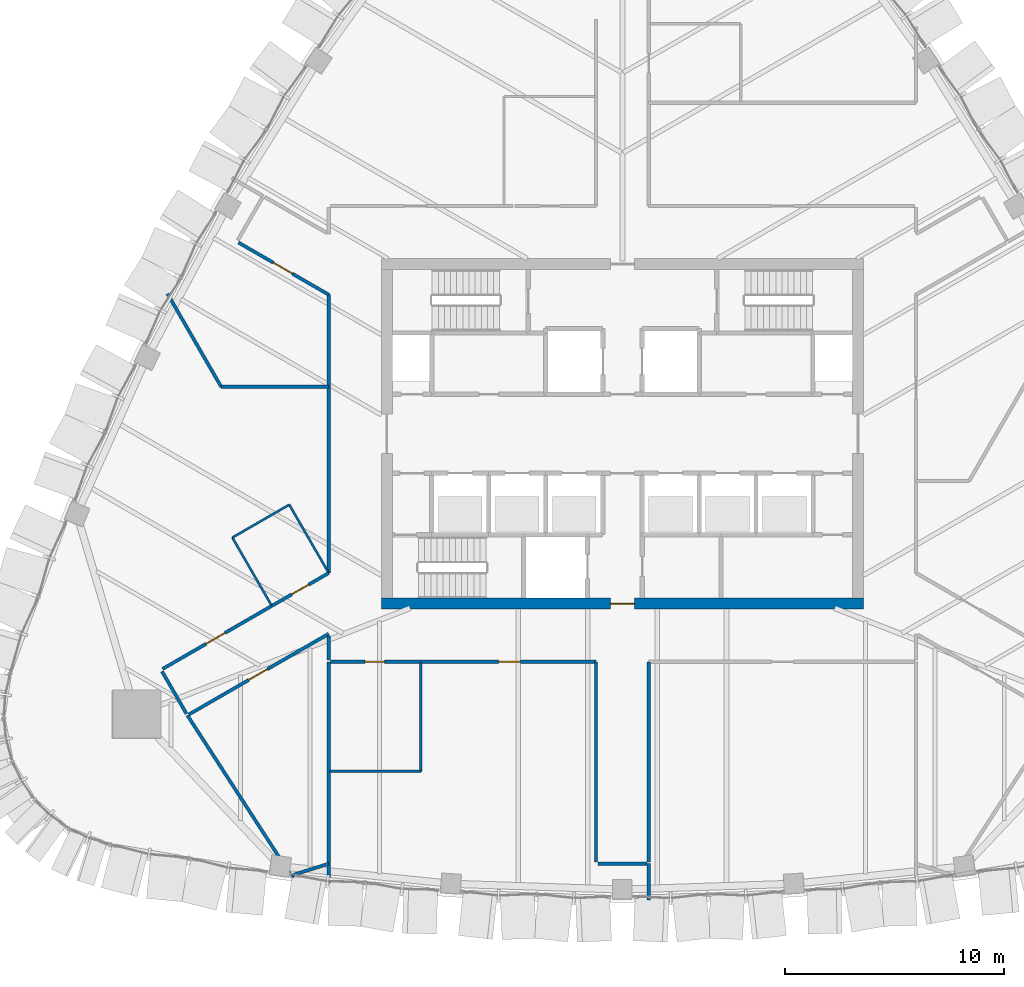
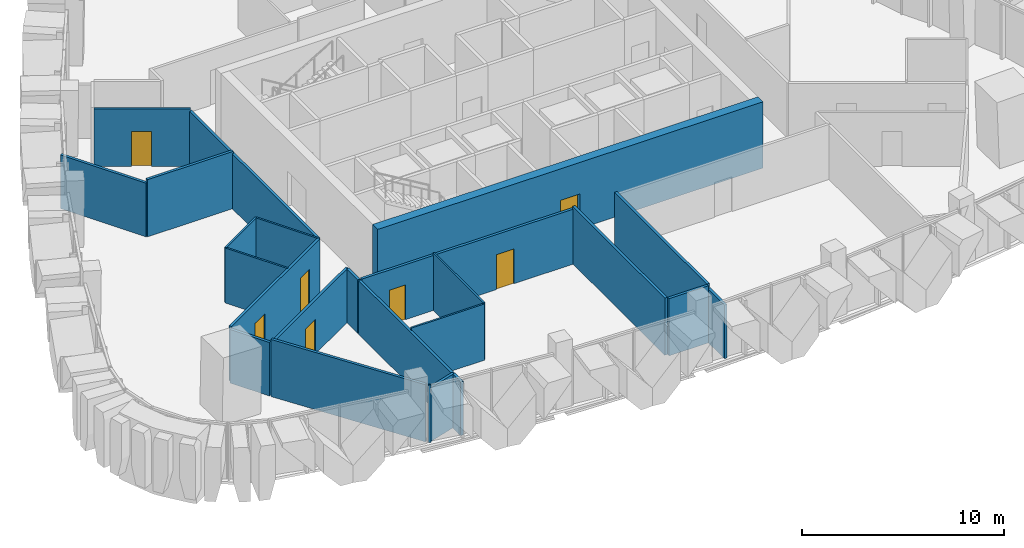
# One storey, part 12 of 19: 23 walls, 7 doors, 7 openings.
"""IFC4 building model written with IfcOpenShell, lengths in metres."""

import ifcopenshell
import ifcopenshell.guid

model = None  # the IFC model being written
_history = None  # IfcOwnerHistory: only IFC2X3 demands one
_inside = {}  # id of a spatial element -> (the spatial element, [elements in it])
_under = {}  # id of a project, library or spatial element -> (it, [spatial elements below it])
_declared = {}  # id of a project -> (the project, [libraries it declares])
_typed = {}  # id of a type object -> (the type object, [elements of that type])
_made_of = {}  # id of a material, layer set ... -> (it, [elements and type objects made of it])


def new_model(schema):
    """Start an empty IFC model of exactly this schema.

    Asked for "IFC4X3", IfcOpenShell would pick the latest addendum, in which some entities
    have other attributes; the version numbers below select the first issue.
    IFC2X3 requires an IfcOwnerHistory on every rooted entity: one is made here for all.
    """
    global model, _history
    if schema == "IFC4X3":
        model = ifcopenshell.file(schema_version=(4, 3, 0, 0))
    else:
        model = ifcopenshell.file(schema=schema)
    _inside.clear()
    _under.clear()
    _declared.clear()
    _typed.clear()
    _made_of.clear()
    _history = None
    if model.schema == "IFC2X3":
        org = make("IfcOrganization", Name="unknown")
        user = make(
            "IfcPersonAndOrganization",
            ThePerson=make("IfcPerson", FamilyName="unknown"),
            TheOrganization=org,
        )
        app = make(
            "IfcApplication",
            ApplicationDeveloper=org,
            Version="unknown",
            ApplicationFullName="unknown",
            ApplicationIdentifier="unknown",
        )
        _history = make(
            "IfcOwnerHistory",
            OwningUser=user,
            OwningApplication=app,
            ChangeAction="ADDED",
            CreationDate=0,
        )
    return model


def make(cls, **values):
    """One entity of the class cls with the attributes given. An attribute that is None is left unset."""
    return model.create_entity(
        cls, **{name: value for name, value in values.items() if value is not None}
    )


def rooted(cls, **values):
    """An entity with a GlobalId (a new one), such as an element, a storey or a relation."""
    return make(cls, GlobalId=ifcopenshell.guid.new(), OwnerHistory=_history, **values)


def si_unit(unit_type, name, prefix=None):
    """IfcSIUnit, for example si_unit("LENGTHUNIT", "METRE", prefix="MILLI")."""
    return make("IfcSIUnit", UnitType=unit_type, Prefix=prefix, Name=name)


def assignment(units):
    """IfcUnitAssignment: the units of a project."""
    return None if units is None else make("IfcUnitAssignment", Units=units)


def point(xyz):
    """IfcCartesianPoint."""
    return None if xyz is None else make("IfcCartesianPoint", Coordinates=xyz)


def direction(xyz):
    """IfcDirection."""
    return None if xyz is None else make("IfcDirection", DirectionRatios=xyz)


def frame(location, z_axis=None, x_axis=None):
    """IfcAxis2Placement3D, a coordinate frame: its origin and axes. An axis left out is left unset."""
    return make(
        "IfcAxis2Placement3D",
        Location=point(location),
        Axis=direction(z_axis),
        RefDirection=direction(x_axis),
    )


def frame_2d(location, x_axis=None):
    """IfcAxis2Placement2D, a coordinate frame in the plane: its origin and x axis."""
    return make(
        "IfcAxis2Placement2D", Location=point(location), RefDirection=direction(x_axis)
    )


def origin():
    """The frame at (0, 0, 0) with its axes left unset."""
    return frame((0.0, 0.0, 0.0))


def place(relative_to, where):
    """IfcLocalPlacement: puts the frame where relative to a parent placement (None: the world)."""
    return make(
        "IfcLocalPlacement", PlacementRelTo=relative_to, RelativePlacement=where
    )


def context(
    kind, dimensions, precision=None, world=None, true_north=None, identifier=None
):
    """IfcGeometricRepresentationContext, for example the 3D "Model" context."""
    return make(
        "IfcGeometricRepresentationContext",
        ContextIdentifier=identifier,
        ContextType=kind,
        CoordinateSpaceDimension=dimensions,
        Precision=precision,
        WorldCoordinateSystem=world,
        TrueNorth=true_north,
    )


def subcontext(parent, identifier, kind, view, scale=None):
    """IfcGeometricRepresentationSubContext, for example "Body" below "Model"."""
    return make(
        "IfcGeometricRepresentationSubContext",
        ContextIdentifier=identifier,
        ContextType=kind,
        ParentContext=parent,
        TargetScale=scale,
        TargetView=view,
    )


def project(units=None, contexts=None):
    """IfcProject with its units and contexts."""
    return rooted(
        "IfcProject",
        Name="project",
        RepresentationContexts=contexts,
        UnitsInContext=assignment(units),
    )


def spatial(cls, under=None, at=None, **own):
    """A site, building, storey or space (cls), placed at a placement, below another one or the project."""
    s = rooted(cls, ObjectPlacement=at, **own)
    if under is not None:
        _under.setdefault(under.id(), (under, []))[1].append(s)
    return s


def profile(cls, at=None, kind="AREA", **sizes):
    """A parametric profile (cls). Its sizes go by their IFC names, for example OverallWidth=200.0."""
    return make(cls, ProfileType=kind, Position=at, **sizes)


def rectangle(**sizes):
    """IfcRectangleProfileDef."""
    return profile("IfcRectangleProfileDef", **sizes)


def extrude(swept, where, along, depth):
    """IfcExtrudedAreaSolid: the profile swept, set in the frame where, extruded along a direction by depth."""
    return make(
        "IfcExtrudedAreaSolid",
        SweptArea=swept,
        Position=where,
        ExtrudedDirection=direction(along),
        Depth=depth,
    )


def shape(context_of_items, identifier, shape_type, items):
    """IfcShapeRepresentation: the items that make up one representation, for example the "Body"."""
    return make(
        "IfcShapeRepresentation",
        ContextOfItems=context_of_items,
        RepresentationIdentifier=identifier,
        RepresentationType=shape_type,
        Items=items,
    )


def material(Name=None, Category=None):
    """IfcMaterial."""
    return make("IfcMaterial", Name=Name, Category=Category)


def layer(
    of_material, thickness, ventilated=None, Name=None, Category=None, Priority=None
):
    """IfcMaterialLayer: one layer of a wall or slab, of a material (None: an air gap)."""
    return make(
        "IfcMaterialLayer",
        Material=of_material,
        LayerThickness=thickness,
        IsVentilated=ventilated,
        Name=Name,
        Category=Category,
        Priority=Priority,
    )


def layer_set(layers, Name=None):
    """IfcMaterialLayerSet."""
    return make("IfcMaterialLayerSet", MaterialLayers=layers, LayerSetName=Name)


def made_of(thing, what):
    """Note that an element or type object is made of a material, layer set ...; save() writes the relation."""
    if what is not None:
        _made_of.setdefault(what.id(), (what, []))[1].append(thing)
    return thing


def type_object(cls, material=None, **own):
    """A type object (cls), such as IfcWallType, which elements share."""
    return made_of(rooted(cls, **own), material)


def element(
    cls,
    number,
    at=None,
    inside=None,
    cuts=None,
    type_object=None,
    material=None,
    context=None,
    identifier="Body",
    shape_type=None,
    held_by="IfcProductDefinitionShape",
    body=None,
    shapes=None,
    **own,
):
    """One element of the class cls, such as IfcWall. Its Tag is "e" and its number.

    at: its placement. inside: the storey or other place that contains it. cuts: it is an
    opening in that element (IfcRelVoidsElement). A single representation is given by context,
    identifier, shape_type and body (its items); several are given by shapes. held_by: the class
    of the entity that holds the representations. save() writes the other relations.
    """
    e = rooted(cls, Tag="e%d" % number, ObjectPlacement=at, **own)
    if body is not None:
        shapes = [shape(context, identifier, shape_type, body)]
    if shapes is not None:
        e.Representation = make(held_by, Representations=shapes)
    if inside is not None:
        _inside.setdefault(inside.id(), (inside, []))[1].append(e)
    if cuts is not None:
        rooted(
            "IfcRelVoidsElement", RelatingBuildingElement=cuts, RelatedOpeningElement=e
        )
    if type_object is not None:
        _typed.setdefault(type_object.id(), (type_object, []))[1].append(e)
    return made_of(e, material)


def fill(opening, filler):
    """IfcRelFillsElement: the door or window that sits in an opening."""
    return rooted(
        "IfcRelFillsElement",
        RelatingOpeningElement=opening,
        RelatedBuildingElement=filler,
    )


def aggregate(whole, parts):
    """IfcRelAggregates: a whole, such as a stair, and the parts it consists of."""
    return rooted("IfcRelAggregates", RelatingObject=whole, RelatedObjects=parts)


def save(model, path):
    """Write the relations noted so far, then the file.

    IfcRelAggregates (storeys below a building ...), IfcRelContainedInSpatialStructure (elements
    in a storey), IfcRelDefinesByType, IfcRelAssociatesMaterial and IfcRelDeclares: one each for
    every whole, place, type object, material and project.
    """
    for whole, parts in _under.values():
        aggregate(whole, parts)
    for where, things in _inside.values():
        rooted(
            "IfcRelContainedInSpatialStructure",
            RelatedElements=things,
            RelatingStructure=where,
        )
    for kind, things in _typed.values():
        rooted("IfcRelDefinesByType", RelatedObjects=things, RelatingType=kind)
    for what, things in _made_of.values():
        rooted("IfcRelAssociatesMaterial", RelatedObjects=things, RelatingMaterial=what)
    for by, libraries in _declared.values():
        rooted("IfcRelDeclares", RelatingContext=by, RelatedDefinitions=libraries)
    model.write(path)


model = new_model("IFC4")

# Units and contexts
model_context = context("Model", 3, precision=1e-05, world=origin(), true_north=direction((0.0, 1.0)))
body_context = subcontext(model_context, "Body", "Model", "MODEL_VIEW")
ifc_project = project(units=[si_unit("LENGTHUNIT", "METRE"), si_unit("AREAUNIT", "SQUARE_METRE"), si_unit("VOLUMEUNIT", "CUBIC_METRE"), si_unit("PLANEANGLEUNIT", "RADIAN"), si_unit("MASSUNIT", "GRAM", prefix="KILO")], contexts=[model_context])

# Site, building, storey
site_placement = place(None, origin())
site = spatial("IfcSite", under=ifc_project, at=site_placement, CompositionType="ELEMENT")
building_placement = place(site_placement, origin())
building = spatial("IfcBuilding", under=site, at=building_placement, Name="Sierra Prisma Convention Tower", CompositionType="ELEMENT")
storey_placement = place(building_placement, frame((0.0, 0.0, 235.0)))
storey = spatial("IfcBuildingStorey", under=building, at=storey_placement, Name="L52", CompositionType="ELEMENT", Elevation=235.0)

# Walls
ifc_material_1 = material(Name="Gypsum board partition", Category="gypsum")
ifc_layer_1 = layer(ifc_material_1, 0.10009765625)
ifc_layer_set_1 = layer_set([ifc_layer_1], Name="Bathroom partition 100")
wall_type_1 = type_object("IfcWallType", Name="Bathroom partition 100", PredefinedType="PARTITIONING", material=ifc_layer_set_1)
wall_1_placement = place(storey_placement, frame((-16.01318359375, -7.824951171875, 0.0), z_axis=(0.0, 0.0, 1.0), x_axis=(-0.499971082179, 0.866042098853, 0.0)))
element("IfcWall", 1, at=wall_1_placement, inside=storey, type_object=wall_type_1, Name="Partition L52 bath 1", PredefinedType="PARTITIONING", context=body_context, shape_type="SweptSolid", body=[
    extrude(rectangle(XDim=3.570068359375, YDim=0.10009765625, at=frame_2d((1.78515625, 0.0))), origin(), (0.0, 0.0, 1.0), 3.31689453125),
])
wall_2_placement = place(storey_placement, frame((-17.798095703125, -4.733154296875, 0.0), z_axis=(0.0, 0.0, 1.0), x_axis=(0.866031096941, 0.499990139034, 0.0)))
element("IfcWall", 2, at=wall_2_placement, inside=storey, type_object=wall_type_1, Name="Partition L52 bath 2", PredefinedType="PARTITIONING", context=body_context, shape_type="SweptSolid", body=[
    extrude(rectangle(XDim=3.0, YDim=0.10009765625, at=frame_2d((1.5, 0.0))), origin(), (0.0, 0.0, 1.0), 3.31689453125),
])
wall_3_placement = place(storey_placement, frame((-15.199951171875, -3.233154296875, 0.0), z_axis=(0.0, 0.0, 1.0), x_axis=(0.500011000363, -0.866019052629, 0.0)))
element("IfcWall", 3, at=wall_3_placement, inside=storey, type_object=wall_type_1, Name="Partition L52 bath 3", PredefinedType="PARTITIONING", context=body_context, shape_type="SweptSolid", body=[
    extrude(rectangle(XDim=3.5400390625, YDim=0.10009765625, at=frame_2d((1.77001953125, 0.0))), origin(), (0.0, 0.0, 1.0), 3.31689453125),
])
wall_4_placement = place(storey_placement, frame((-9.199951171875, -10.429931640625, 0.0), z_axis=(0.0, 0.0, 1.0), x_axis=(0.0, -1.0, 0.0)))
element("IfcWall", 4, at=wall_4_placement, inside=storey, type_object=wall_type_1, Name="Partition L52 bath 4", PredefinedType="PARTITIONING", context=body_context, shape_type="SweptSolid", body=[
    extrude(rectangle(XDim=4.969970703125, YDim=0.10009765625, at=frame_2d((2.48486328125, 0.0))), origin(), (0.0, 0.0, 1.0), 3.449951171875),
])
wall_5_placement = place(storey_placement, frame((-9.199951171875, -15.39990234375, 0.0), z_axis=(0.0, 0.0, 1.0), x_axis=(-1.0, 0.0, 0.0)))
element("IfcWall", 5, at=wall_5_placement, inside=storey, type_object=wall_type_1, Name="Partition L52 bath 5", PredefinedType="PARTITIONING", context=body_context, shape_type="SweptSolid", body=[
    extrude(rectangle(XDim=4.170166015625, YDim=0.10009765625, at=frame_2d((2.0849609375, 0.0))), origin(), (0.0, 0.0, 1.0), 3.39306640625),
])

# Wall, opening, door
ifc_material_2 = material(Name="Concrete C50/60", Category="concrete")
ifc_layer_2 = layer(ifc_material_2, 0.5)
ifc_layer_set_2 = layer_set([ifc_layer_2], Name="Core wall RC 500 C50/60")
wall_type_2 = type_object("IfcWallType", Name="Core wall RC 500 C50/60", PredefinedType="SHEAR", material=ifc_layer_set_2)
wall_6_placement = place(storey_placement, frame((-11.0, -7.75, 0.0), z_axis=(0.0, 0.0, 1.0), x_axis=(1.0, 0.0, 0.0)))
wall_6 = element("IfcWall", 6, at=wall_6_placement, inside=storey, type_object=wall_type_2, Name="Core wall S L52", PredefinedType="SHEAR", context=body_context, shape_type="SweptSolid", body=[
    extrude(rectangle(XDim=22.0, YDim=0.5, at=frame_2d((11.0, 0.0))), origin(), (0.0, 0.0, 1.0), 4.0),
])
opening_1_placement = place(wall_6_placement, frame((10.449951171875, 0.0, 0.0)))
opening_1 = element("IfcOpeningElement", 7, at=opening_1_placement, cuts=wall_6, Name="Opening L52-D041", PredefinedType="OPENING", context=body_context, shape_type="SweptSolid", body=[
    extrude(rectangle(XDim=1.10009765625, YDim=2.10009765625, at=frame_2d((0.550048828125, 1.050048828125))), frame((0.0, 0.25, 0.0), z_axis=(0.0, -1.0, 0.0), x_axis=(1.0, 0.0, 0.0)), (0.0, 0.0, 1.0), 0.5),
])
ifc_material_3 = material(Name="Steel fire door leaf", Category="steel")
door_type_1 = type_object("IfcDoorType", Name="Door 1100x2100 FD30S", OperationType="SINGLE_SWING_LEFT", PredefinedType="DOOR", material=ifc_material_3)
door_1_placement = place(opening_1_placement, origin())
door_1 = element("IfcDoor", 8, at=door_1_placement, inside=storey, type_object=door_type_1, Name="Door L52 42", OperationType="SINGLE_SWING_LEFT", OverallHeight=2.10009765625, OverallWidth=1.10009765625, PredefinedType="DOOR", context=body_context, shape_type="SweptSolid", body=[
    extrude(rectangle(XDim=1.10009765625, YDim=2.10009765625, at=frame_2d((0.550048828125, 1.050048828125))), frame((0.0, 0.02490234375, 0.0), z_axis=(0.0, -1.0, 0.0), x_axis=(1.0, 0.0, 0.0)), (0.0, 0.0, 1.0), 0.050048828125),
])
fill(opening_1, door_1)

# Wall
ifc_material_4 = material(Name="Gypsum board partition", Category="gypsum")
ifc_layer_3 = layer(ifc_material_4, 0.14990234375)
ifc_layer_set_3 = layer_set([ifc_layer_3], Name="Corridor wall 150 gypsum EI 60")
wall_type_3 = type_object("IfcWallType", Name="Corridor wall 150 gypsum EI 60", PredefinedType="PARTITIONING", material=ifc_layer_set_3)
wall_7_placement = place(storey_placement, frame((-21.0087890625, -10.836181640625, 0.0), z_axis=(0.0, 0.0, 1.0), x_axis=(0.500077830873, -0.865980463445, 0.0)))
element("IfcWall", 9, at=wall_7_placement, inside=storey, type_object=wall_type_3, Name="Partition L52 corr 1", PredefinedType="PARTITIONING", context=body_context, shape_type="SweptSolid", body=[
    extrude(rectangle(XDim=2.239990234375, YDim=0.14990234375, at=frame_2d((1.1201171875, 0.0))), origin(), (0.0, 0.0, 1.0), 3.23291015625),
])

# Wall, opening, door
wall_8_placement = place(storey_placement, frame((-17.519775390625, 8.729248046875, 0.0), z_axis=(0.0, 0.0, 1.0), x_axis=(0.866042865666, -0.499969753915, 0.0)))
wall_8 = element("IfcWall", 10, at=wall_8_placement, inside=storey, type_object=wall_type_3, Name="Partition L52 corr 2", PredefinedType="PARTITIONING", context=body_context, shape_type="SweptSolid", body=[
    extrude(rectangle(XDim=4.757080078125, YDim=0.14990234375, at=frame_2d((2.37841796875, 0.0))), origin(), (0.0, 0.0, 1.0), 3.449951171875),
])
opening_2_placement = place(wall_8_placement, frame((1.83837890625, 0.0, 0.0)))
opening_2 = element("IfcOpeningElement", 11, at=opening_2_placement, cuts=wall_8, Name="Opening L52-D029", PredefinedType="OPENING", context=body_context, shape_type="SweptSolid", body=[
    extrude(rectangle(XDim=1.0, YDim=2.10009765625, at=frame_2d((0.5, 1.050048828125))), frame((0.0, 0.074951171875, 0.0), z_axis=(0.0, -1.0, 0.0), x_axis=(1.0, 0.0, 0.0)), (0.0, 0.0, 1.0), 0.14990234375),
])
ifc_material_5 = material(Name="Steel fire door leaf", Category="steel")
door_type_2 = type_object("IfcDoorType", Name="Door 1000x2100 FD30S", OperationType="SINGLE_SWING_LEFT", PredefinedType="DOOR", material=ifc_material_5)
door_2_placement = place(opening_2_placement, origin())
door_2 = element("IfcDoor", 12, at=door_2_placement, inside=storey, type_object=door_type_2, Name="Door L52 7", OperationType="SINGLE_SWING_RIGHT", OverallHeight=2.10009765625, OverallWidth=1.0, PredefinedType="DOOR", context=body_context, shape_type="SweptSolid", body=[
    extrude(rectangle(XDim=1.0, YDim=2.10009765625, at=frame_2d((0.5, 1.050048828125))), frame((0.0, 0.02490234375, 0.0), z_axis=(0.0, -1.0, 0.0), x_axis=(1.0, 0.0, 0.0)), (0.0, 0.0, 1.0), 0.050048828125),
])
fill(opening_2, door_2)

# Wall
wall_9_placement = place(storey_placement, frame((-13.39990234375, 6.350830078125, 0.0), z_axis=(0.0, 0.0, 1.0), x_axis=(0.0, -1.0, 0.0)))
element("IfcWall", 13, at=wall_9_placement, inside=storey, type_object=wall_type_3, Name="Partition L52 corr 3", PredefinedType="PARTITIONING", context=body_context, shape_type="SweptSolid", body=[
    extrude(rectangle(XDim=12.70166015625, YDim=0.14990234375, at=frame_2d((6.350830078125, 0.0))), origin(), (0.0, 0.0, 1.0), 3.31689453125),
])

# Wall, openings, doors
wall_10_placement = place(storey_placement, frame((-13.39990234375, -6.350830078125, 0.0), z_axis=(0.0, 0.0, 1.0), x_axis=(-0.866030434095, -0.499991287145, 0.0)))
wall_10 = element("IfcWall", 14, at=wall_10_placement, inside=storey, type_object=wall_type_3, Name="Partition L52 corr 4", PredefinedType="PARTITIONING", context=body_context, shape_type="SweptSolid", body=[
    extrude(rectangle(XDim=8.752197265625, YDim=0.14990234375, at=frame_2d((4.3759765625, 0.0))), origin(), (0.0, 0.0, 1.0), 3.31689453125),
])
opening_3_placement = place(wall_10_placement, frame((1.050048828125, 0.0, 0.0)))
opening_3 = element("IfcOpeningElement", 15, at=opening_3_placement, cuts=wall_10, Name="Opening L52-D030", PredefinedType="OPENING", context=body_context, shape_type="SweptSolid", body=[
    extrude(rectangle(XDim=0.89990234375, YDim=2.10009765625, at=frame_2d((0.449951171875, 1.050048828125))), frame((0.0, 0.074951171875, 0.0), z_axis=(0.0, -1.0, 0.0), x_axis=(1.0, 0.0, 0.0)), (0.0, 0.0, 1.0), 0.14990234375),
])
opening_4_placement = place(wall_10_placement, frame((5.466064453125, 0.0, 0.0)))
opening_4 = element("IfcOpeningElement", 16, at=opening_4_placement, cuts=wall_10, Name="Opening L52-D031", PredefinedType="OPENING", context=body_context, shape_type="SweptSolid", body=[
    extrude(rectangle(XDim=1.0, YDim=2.10009765625, at=frame_2d((0.5, 1.050048828125))), frame((0.0, 0.074951171875, 0.0), z_axis=(0.0, -1.0, 0.0), x_axis=(1.0, 0.0, 0.0)), (0.0, 0.0, 1.0), 0.14990234375),
])
door_3_placement = place(opening_4_placement, origin())
door_3 = element("IfcDoor", 17, at=door_3_placement, inside=storey, type_object=door_type_2, Name="Door L52 9", OperationType="SINGLE_SWING_RIGHT", OverallHeight=2.10009765625, OverallWidth=1.0, PredefinedType="DOOR", context=body_context, shape_type="SweptSolid", body=[
    extrude(rectangle(XDim=1.0, YDim=2.10009765625, at=frame_2d((0.5, 1.050048828125))), frame((0.0, 0.02490234375, 0.0), z_axis=(0.0, -1.0, 0.0), x_axis=(1.0, 0.0, 0.0)), (0.0, 0.0, 1.0), 0.050048828125),
])
fill(opening_4, door_3)
ifc_material_6 = material(Name="Steel fire door leaf", Category="steel")
door_type_3 = type_object("IfcDoorType", Name="Door 900x2100 FD30S", OperationType="SINGLE_SWING_LEFT", PredefinedType="DOOR", material=ifc_material_6)
door_4_placement = place(opening_3_placement, origin())
door_4 = element("IfcDoor", 18, at=door_4_placement, inside=storey, type_object=door_type_3, Name="Door L52 8", OperationType="SINGLE_SWING_LEFT", OverallHeight=2.10009765625, OverallWidth=0.89990234375, PredefinedType="DOOR", context=body_context, shape_type="SweptSolid", body=[
    extrude(rectangle(XDim=0.89990234375, YDim=2.10009765625, at=frame_2d((0.449951171875, 1.050048828125))), frame((0.0, 0.02490234375, 0.0), z_axis=(0.0, -1.0, 0.0), x_axis=(1.0, 0.0, 0.0)), (0.0, 0.0, 1.0), 0.050048828125),
])
fill(opening_3, door_4)

# Wall, opening, door
wall_11_placement = place(storey_placement, frame((-19.779541015625, -12.805419921875, 0.0), z_axis=(0.0, 0.0, 1.0), x_axis=(0.866021670914, 0.500006465466, 0.0)))
wall_11 = element("IfcWall", 19, at=wall_11_placement, inside=storey, type_object=wall_type_3, Name="Partition L52 corr 5", PredefinedType="PARTITIONING", context=body_context, shape_type="SweptSolid", body=[
    extrude(rectangle(XDim=7.36669921875, YDim=0.14990234375, at=frame_2d((3.683349609375, 0.0))), origin(), (0.0, 0.0, 1.0), 3.23291015625),
])
opening_5_placement = place(wall_11_placement, frame((3.143310546875, 0.0, 0.0)))
opening_5 = element("IfcOpeningElement", 20, at=opening_5_placement, cuts=wall_11, Name="Opening L52-D032", PredefinedType="OPENING", context=body_context, shape_type="SweptSolid", body=[
    extrude(rectangle(XDim=1.0, YDim=2.10009765625, at=frame_2d((0.5, 1.050048828125))), frame((0.0, 0.074951171875, 0.0), z_axis=(0.0, -1.0, 0.0), x_axis=(1.0, 0.0, 0.0)), (0.0, 0.0, 1.0), 0.14990234375),
])
door_5_placement = place(opening_5_placement, origin())
door_5 = element("IfcDoor", 21, at=door_5_placement, inside=storey, type_object=door_type_2, Name="Door L52 10", OperationType="SINGLE_SWING_LEFT", OverallHeight=2.10009765625, OverallWidth=1.0, PredefinedType="DOOR", context=body_context, shape_type="SweptSolid", body=[
    extrude(rectangle(XDim=1.0, YDim=2.10009765625, at=frame_2d((0.5, 1.050048828125))), frame((0.0, 0.02490234375, 0.0), z_axis=(0.0, -1.0, 0.0), x_axis=(1.0, 0.0, 0.0)), (0.0, 0.0, 1.0), 0.050048828125),
])
fill(opening_5, door_5)

# Wall
wall_12_placement = place(storey_placement, frame((-13.39990234375, -9.213623046875, 0.0), z_axis=(0.0, 0.0, 1.0), x_axis=(0.0, -1.0, 0.0)))
element("IfcWall", 22, at=wall_12_placement, inside=storey, type_object=wall_type_3, Name="Partition L52 corr 6", PredefinedType="PARTITIONING", context=body_context, shape_type="SweptSolid", body=[
    extrude(rectangle(XDim=1.1064453125, YDim=0.14990234375, at=frame_2d((0.55322265625, 0.0))), origin(), (0.0, 0.0, 1.0), 3.23291015625),
])

# Wall, openings, doors
wall_13_placement = place(storey_placement, frame((-13.320068359375, -10.39990234375, 0.0), z_axis=(0.0, 0.0, 1.0), x_axis=(1.0, 0.0, 0.0)))
wall_13 = element("IfcWall", 23, at=wall_13_placement, inside=storey, type_object=wall_type_3, Name="Partition L52 corr 10", PredefinedType="PARTITIONING", context=body_context, shape_type="SweptSolid", body=[
    extrude(rectangle(XDim=12.1201171875, YDim=0.14990234375, at=frame_2d((6.06005859375, 0.0))), origin(), (0.0, 0.0, 1.0), 3.31689453125),
])
opening_6_placement = place(wall_13_placement, frame((1.570068359375, 0.0, 0.0)))
opening_6 = element("IfcOpeningElement", 24, at=opening_6_placement, cuts=wall_13, Name="Opening L52-D033", PredefinedType="OPENING", context=body_context, shape_type="SweptSolid", body=[
    extrude(rectangle(XDim=0.89990234375, YDim=2.10009765625, at=frame_2d((0.449951171875, 1.050048828125))), frame((0.0, 0.074951171875, 0.0), z_axis=(0.0, -1.0, 0.0), x_axis=(1.0, 0.0, 0.0)), (0.0, 0.0, 1.0), 0.14990234375),
])
opening_7_placement = place(wall_13_placement, frame((7.669921875, 0.0, 0.0)))
opening_7 = element("IfcOpeningElement", 25, at=opening_7_placement, cuts=wall_13, Name="Opening L52-D034", PredefinedType="OPENING", context=body_context, shape_type="SweptSolid", body=[
    extrude(rectangle(XDim=1.0, YDim=2.10009765625, at=frame_2d((0.5, 1.050048828125))), frame((0.0, 0.074951171875, 0.0), z_axis=(0.0, -1.0, 0.0), x_axis=(1.0, 0.0, 0.0)), (0.0, 0.0, 1.0), 0.14990234375),
])
door_6_placement = place(opening_7_placement, origin())
door_6 = element("IfcDoor", 26, at=door_6_placement, inside=storey, type_object=door_type_2, Name="Door L52 12", OperationType="SINGLE_SWING_LEFT", OverallHeight=2.10009765625, OverallWidth=1.0, PredefinedType="DOOR", context=body_context, shape_type="SweptSolid", body=[
    extrude(rectangle(XDim=1.0, YDim=2.10009765625, at=frame_2d((0.5, 1.050048828125))), frame((0.0, 0.02490234375, 0.0), z_axis=(0.0, -1.0, 0.0), x_axis=(1.0, 0.0, 0.0)), (0.0, 0.0, 1.0), 0.050048828125),
])
fill(opening_7, door_6)
door_7_placement = place(opening_6_placement, origin())
door_7 = element("IfcDoor", 27, at=door_7_placement, inside=storey, type_object=door_type_3, Name="Door L52 11", OperationType="SINGLE_SWING_LEFT", OverallHeight=2.10009765625, OverallWidth=0.89990234375, PredefinedType="DOOR", context=body_context, shape_type="SweptSolid", body=[
    extrude(rectangle(XDim=0.89990234375, YDim=2.10009765625, at=frame_2d((0.449951171875, 1.050048828125))), frame((0.0, 0.02490234375, 0.0), z_axis=(0.0, -1.0, 0.0), x_axis=(1.0, 0.0, 0.0)), (0.0, 0.0, 1.0), 0.050048828125),
])
fill(opening_6, door_7)

# Walls
wall_14_placement = place(storey_placement, frame((-1.199951171875, -10.39990234375, 0.0), z_axis=(0.0, 0.0, 1.0), x_axis=(0.0, -1.0, 0.0)))
element("IfcWall", 28, at=wall_14_placement, inside=storey, type_object=wall_type_3, Name="Partition L52 corr 11", PredefinedType="PARTITIONING", context=body_context, shape_type="SweptSolid", body=[
    extrude(rectangle(XDim=9.13720703125, YDim=0.14990234375, at=frame_2d((4.568603515625, 0.0))), origin(), (0.0, 0.0, 1.0), 3.449951171875),
])
wall_15_placement = place(storey_placement, frame((-1.1201171875, -19.6171875, 0.0), z_axis=(0.0, 0.0, 1.0), x_axis=(1.0, 0.0, 0.0)))
element("IfcWall", 29, at=wall_15_placement, inside=storey, type_object=wall_type_3, Name="Partition L52 corr 15", PredefinedType="PARTITIONING", context=body_context, shape_type="SweptSolid", body=[
    extrude(rectangle(XDim=2.240234375, YDim=0.14990234375, at=frame_2d((1.1201171875, 0.0))), origin(), (0.0, 0.0, 1.0), 3.449951171875),
])
wall_16_placement = place(storey_placement, frame((1.199951171875, -19.537109375, 0.0), z_axis=(0.0, 0.0, 1.0), x_axis=(0.0, 1.0, 0.0)))
element("IfcWall", 30, at=wall_16_placement, inside=storey, type_object=wall_type_3, Name="Partition L52 corr 17", PredefinedType="PARTITIONING", context=body_context, shape_type="SweptSolid", body=[
    extrude(rectangle(XDim=9.13720703125, YDim=0.14990234375, at=frame_2d((4.568603515625, 0.0))), origin(), (0.0, 0.0, 1.0), 3.449951171875),
])
ifc_material_7 = material(Name="Gypsum board partition", Category="gypsum")
ifc_layer_4 = layer(ifc_material_7, 0.14990234375)
ifc_layer_set_4 = layer_set([ifc_layer_4], Name="Party wall 150 gypsum")
wall_type_4 = type_object("IfcWallType", Name="Party wall 150 gypsum", PredefinedType="PARTITIONING", material=ifc_layer_set_4)
wall_17_placement = place(storey_placement, frame((-13.39990234375, 2.149169921875, 0.0), z_axis=(0.0, 0.0, 1.0), x_axis=(-1.0, 0.0, 0.0)))
element("IfcWall", 31, at=wall_17_placement, inside=storey, type_object=wall_type_4, Name="Partition L52 party 1", PredefinedType="PARTITIONING", context=body_context, shape_type="SweptSolid", body=[
    extrude(rectangle(XDim=4.90771484375, YDim=0.14990234375, at=frame_2d((2.453857421875, 0.0))), origin(), (0.0, 0.0, 1.0), 3.449951171875),
])
wall_18_placement = place(storey_placement, frame((-18.3076171875, 2.149169921875, 0.0), z_axis=(0.0, 0.0, 1.0), x_axis=(-0.499982769143, 0.866035351796, 0.0)))
element("IfcWall", 32, at=wall_18_placement, inside=storey, type_object=wall_type_4, Name="Partition L52 party 2", PredefinedType="PARTITIONING", context=body_context, shape_type="SweptSolid", body=[
    extrude(rectangle(XDim=4.898193359375, YDim=0.14990234375, at=frame_2d((2.44921875, 0.0))), origin(), (0.0, 0.0, 1.0), 3.23388671875),
])
wall_19_placement = place(storey_placement, frame((-19.8486328125, -12.84521484375, 0.0), z_axis=(0.0, 0.0, 1.0), x_axis=(0.543041092905, -0.839706122055, 0.0)))
element("IfcWall", 33, at=wall_19_placement, inside=storey, type_object=wall_type_4, Name="Partition L52 party 3", PredefinedType="PARTITIONING", context=body_context, shape_type="SweptSolid", body=[
    extrude(rectangle(XDim=8.573486328125, YDim=0.14990234375, at=frame_2d((4.28662109375, 0.0))), origin(), (0.0, 0.0, 1.0), 3.449951171875),
])
wall_20_placement = place(storey_placement, frame((-15.04296875, -20.131103515625, 0.0), z_axis=(0.0, 0.0, 1.0), x_axis=(0.954404246186, 0.298517227076, 0.0)))
element("IfcWall", 34, at=wall_20_placement, inside=storey, type_object=wall_type_4, Name="Partition L52 party 5", PredefinedType="PARTITIONING", context=body_context, shape_type="SweptSolid", body=[
    extrude(rectangle(XDim=1.7216796875, YDim=0.14990234375, at=frame_2d((0.86083984375, 0.0))), origin(), (0.0, 0.0, 1.0), 3.23388671875),
])
wall_21_placement = place(storey_placement, frame((-13.39990234375, -20.493896484375, 0.0), z_axis=(0.0, 0.0, 1.0), x_axis=(0.0, 1.0, 0.0)))
element("IfcWall", 35, at=wall_21_placement, inside=storey, type_object=wall_type_4, Name="Partition L52 party 6", PredefinedType="PARTITIONING", context=body_context, shape_type="SweptSolid", body=[
    extrude(rectangle(XDim=10.093994140625, YDim=0.14990234375, at=frame_2d((5.046875, 0.0))), origin(), (0.0, 0.0, 1.0), 3.23388671875),
])
wall_22_placement = place(storey_placement, frame((-15.093017578125, -20.217529296875, 0.0), z_axis=(0.0, 0.0, 1.0), x_axis=(0.500074377092, 0.865982457891, 0.0)))
element("IfcWall", 36, at=wall_22_placement, inside=storey, type_object=wall_type_4, Name="Partition L52 party 7", PredefinedType="PARTITIONING", context=body_context, shape_type="SweptSolid", body=[
    extrude(rectangle(XDim=0.10009765625, YDim=0.14990234375, at=frame_2d((0.050048828125, 0.0))), origin(), (0.0, 0.0, 1.0), 3.449951171875),
])
wall_23_placement = place(storey_placement, frame((1.199951171875, -19.6171875, 0.0), z_axis=(0.0, 0.0, 1.0), x_axis=(0.0, -1.0, 0.0)))
element("IfcWall", 37, at=wall_23_placement, inside=storey, type_object=wall_type_4, Name="Partition L52 party 9", PredefinedType="PARTITIONING", context=body_context, shape_type="SweptSolid", body=[
    extrude(rectangle(XDim=1.649658203125, YDim=0.14990234375, at=frame_2d((0.82470703125, 0.0))), origin(), (0.0, 0.0, 1.0), 3.23388671875),
])

save(model, "model.ifc")
